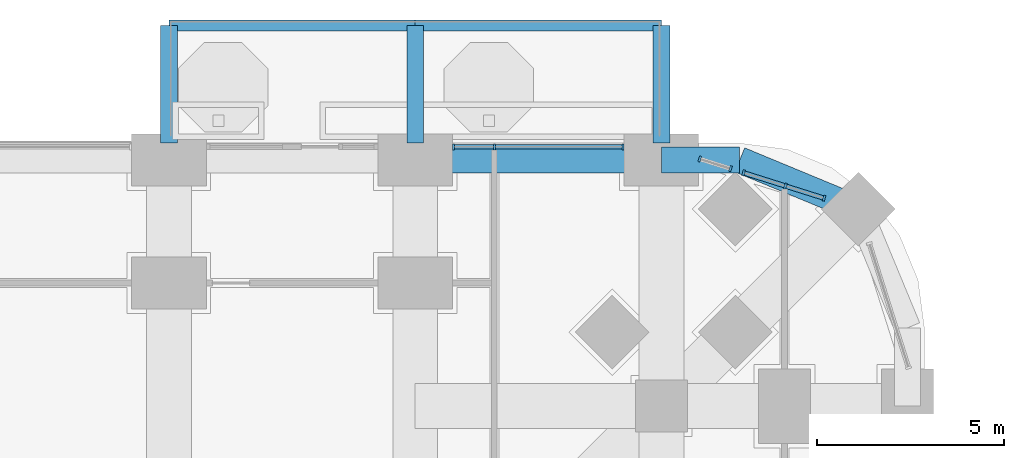
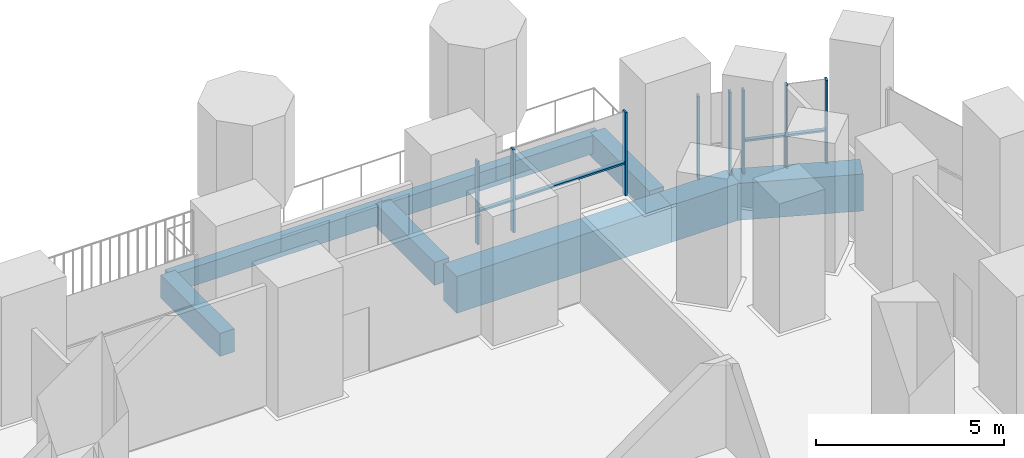
# One storey, part 10 of 25: 12 members, 8 beams, 3 elements without a shape of their own.
"""IFC4 building model written with IfcOpenShell, lengths in metres."""

from ifc_helpers import new_model, si_unit, direction, frame, origin, origin_2d, place, context, subcontext, project, spatial, rectangle, extrude, material, material_profile, profile_set, type_object, element, aggregate, save


model = new_model("IFC4")

# Units and contexts
model_context = context("Model", 3, precision=1e-05, world=origin(), true_north=direction((0.0, 1.0)))
body_context = subcontext(model_context, "Body", "Model", "MODEL_VIEW")
ifc_project = project(units=[si_unit("LENGTHUNIT", "METRE"), si_unit("AREAUNIT", "SQUARE_METRE"), si_unit("VOLUMEUNIT", "CUBIC_METRE"), si_unit("PLANEANGLEUNIT", "RADIAN"), si_unit("MASSUNIT", "GRAM", prefix="KILO")], contexts=[model_context])

# Site, building, storey
site_placement = place(None, origin())
site = spatial("IfcSite", under=ifc_project, at=site_placement, CompositionType="ELEMENT")
building_placement = place(site_placement, origin())
building = spatial("IfcBuilding", under=site, at=building_placement, Name="Cobogo Forest Laboratory Tower", CompositionType="ELEMENT")
storey_placement = place(building_placement, frame((0.0, 0.0, 21.300048828125)))
storey = spatial("IfcBuildingStorey", under=building, at=storey_placement, Name="L04", CompositionType="ELEMENT", Elevation=21.300048828125)

# Beams
ifc_material_1 = material(Name="Concrete HA-40 (C40/50)", Category="concrete")
ifc_material_profile_1 = material_profile(ifc_material_1, rectangle(XDim=0.449951171875, YDim=0.75, at=origin_2d()), Name="RC 450x750")
ifc_profile_set_1 = profile_set([ifc_material_profile_1], Name="Concrete HA-40 (C40/50)")
beam_type_1 = type_object("IfcBeamType", Name="Balcony cantilever beam 450x750", PredefinedType="BEAM", material=ifc_profile_set_1)
for number, where, z_axis, x_axis, name in (
    (1, (33.0, 46.64990234375, -0.625), (0.0, 1.0, 0.0), (-1.0, 0.0, 0.0), "CB1 BAL-N2-C1 L04"),
    (2, (39.60009765625, 46.64990234375, -0.625), (0.0, 1.0, 0.0), (-1.0, 0.0, 0.0), "CB1 BAL-N2-C2 L04"),
    (3, (46.199951171875, 46.64990234375, -0.625), (0.0, 1.0, 0.0), (-1.0, 0.0, 0.0), "CB1 BAL-N2-C3 L04"),
):
    element("IfcBeam", number, at=place(storey_placement, frame(where, z_axis=z_axis, x_axis=x_axis)), inside=storey, type_object=beam_type_1, Name=name, PredefinedType="BEAM", context=body_context, shape_type="SweptSolid", body=[
        extrude(rectangle(XDim=0.449951171875, YDim=0.75, at=origin_2d()), origin(), (0.0, 0.0, 1.0), 3.150146484375),
    ])
ifc_material_profile_2 = material_profile(ifc_material_1, rectangle(XDim=0.300048828125, YDim=0.60009765625, at=origin_2d()), Name="RC 300x600")
ifc_profile_set_2 = profile_set([ifc_material_profile_2], Name="Concrete HA-40 (C40/50)")
beam_type_2 = type_object("IfcBeamType", Name="Balcony edge beam 300x600", PredefinedType="BEAM", material=ifc_profile_set_2)
beam_1_placement = place(storey_placement, frame((33.0, 49.800048828125, -0.550048828125), z_axis=(1.0, 0.0, 0.0), x_axis=(0.0, 1.0, 0.0)))
element("IfcBeam", 4, at=beam_1_placement, inside=storey, type_object=beam_type_2, Name="BB1 BAL-N2-T1 L04", PredefinedType="BEAM", context=body_context, shape_type="SweptSolid", body=[
    extrude(rectangle(XDim=0.300048828125, YDim=0.60009765625, at=origin_2d()), origin(), (0.0, 0.0, 1.0), 6.60009765625),
])
beam_2_placement = place(storey_placement, frame((39.60009765625, 49.800048828125, -0.550048828125), z_axis=(1.0, 0.0, 0.0), x_axis=(0.0, 1.0, 0.0)))
element("IfcBeam", 5, at=beam_2_placement, inside=storey, type_object=beam_type_2, Name="BB1 BAL-N2-T2 L04", PredefinedType="BEAM", context=body_context, shape_type="SweptSolid", body=[
    extrude(rectangle(XDim=0.300048828125, YDim=0.60009765625, at=origin_2d()), origin(), (0.0, 0.0, 1.0), 6.599853515625),
])

# Curtain wall, members
ifc_material_2 = material(Name="Aluminium curtain wall", Category="aluminium")
curtain_wall_type = type_object("IfcCurtainWallType", Name="CW-1 unitised curtain wall, clear glazing, laboratory floors zones A and B", PredefinedType="USERDEFINED", material=ifc_material_2)
curtain_wall_1_placement = place(storey_placement, origin())
curtain_wall_1 = element("IfcCurtainWall", 6, at=curtain_wall_1_placement, inside=storey, type_object=curtain_wall_type, Name="Curtain wall 16 L04", ObjectType="UNITISED CURTAIN WALL", PredefinedType="USERDEFINED")
ifc_material_3 = material(Name="Aluminium mullion", Category="aluminium")
ifc_material_profile_3 = material_profile(ifc_material_3, rectangle(XDim=0.06005859375, YDim=0.159912109375, at=origin_2d()), Name="AL 60x160")
ifc_profile_set_3 = profile_set([ifc_material_profile_3], Name="Aluminium mullion")
member_type_1 = type_object("IfcMemberType", Name="MU-1 aluminium mullion 60x160", PredefinedType="MULLION", material=ifc_profile_set_3)
member_1_placement = place(storey_placement, frame((50.561279296875, 45.1728515625, 0.0), z_axis=(0.0, 0.0, 1.0), x_axis=(-0.953581409645, 0.301135343623, 0.0)))
member_1 = element("IfcMember", 7, at=member_1_placement, type_object=member_type_1, Name="CW-1 mullion 1", PredefinedType="MULLION", context=body_context, shape_type="SweptSolid", body=[
    extrude(rectangle(XDim=0.06005859375, YDim=0.159912109375, at=origin_2d()), origin(), (0.0, 0.0, 1.0), 2.699951171875),
])
member_2_placement = place(storey_placement, frame((49.524169921875, 45.500244140625, 0.0), z_axis=(0.0, 0.0, 1.0), x_axis=(-0.953581409645, 0.301135343623, 0.0)))
member_2 = element("IfcMember", 8, at=member_2_placement, type_object=member_type_1, Name="CW-1 mullion 2", PredefinedType="MULLION", context=body_context, shape_type="SweptSolid", body=[
    extrude(rectangle(XDim=0.06005859375, YDim=0.159912109375, at=origin_2d()), origin(), (0.0, 0.0, 1.0), 2.699951171875),
])
member_3_placement = place(storey_placement, frame((48.403076171875, 45.854248046875, 0.0), z_axis=(0.0, 0.0, 1.0), x_axis=(-0.953581409645, 0.301135343623, 0.0)))
member_3 = element("IfcMember", 9, at=member_3_placement, type_object=member_type_1, Name="CW-1 mullion 3", PredefinedType="MULLION", context=body_context, shape_type="SweptSolid", body=[
    extrude(rectangle(XDim=0.06005859375, YDim=0.159912109375, at=origin_2d()), origin(), (0.0, 0.0, 1.0), 2.699951171875),
])

curtain_wall_2_placement = place(storey_placement, origin())
curtain_wall_2 = element("IfcCurtainWall", 10, at=curtain_wall_2_placement, inside=storey, type_object=curtain_wall_type, Name="Curtain wall 17 L04", ObjectType="UNITISED CURTAIN WALL", PredefinedType="USERDEFINED")
member_4_placement = place(storey_placement, frame((48.05322265625, 45.96484375, 0.0), z_axis=(0.0, 0.0, 1.0), x_axis=(-0.953581406818, 0.301135352577, 0.0)))
member_4 = element("IfcMember", 11, at=member_4_placement, type_object=member_type_1, Name="CW-1 mullion 1", PredefinedType="MULLION", context=body_context, shape_type="SweptSolid", body=[
    extrude(rectangle(XDim=0.06005859375, YDim=0.159912109375, at=origin_2d()), origin(), (0.0, 0.0, 1.0), 2.699951171875),
])
member_5_placement = place(storey_placement, frame((47.228515625, 46.22509765625, 0.0), z_axis=(0.0, 0.0, 1.0), x_axis=(-0.953581406818, 0.301135352577, 0.0)))
member_5 = element("IfcMember", 12, at=member_5_placement, type_object=member_type_1, Name="CW-1 mullion 2", PredefinedType="MULLION", context=body_context, shape_type="SweptSolid", body=[
    extrude(rectangle(XDim=0.06005859375, YDim=0.159912109375, at=origin_2d()), origin(), (0.0, 0.0, 1.0), 2.699951171875),
])
aggregate(curtain_wall_2, [member_4, member_5])

curtain_wall_3_placement = place(storey_placement, origin())
curtain_wall_3 = element("IfcCurtainWall", 13, at=curtain_wall_3_placement, inside=storey, type_object=curtain_wall_type, Name="Curtain wall 18 L04", ObjectType="UNITISED CURTAIN WALL", PredefinedType="USERDEFINED")
member_6_placement = place(storey_placement, frame((45.169921875, 46.550048828125, 0.0), z_axis=(0.0, 0.0, 1.0), x_axis=(-1.0, 0.0, 0.0)))
member_6 = element("IfcMember", 14, at=member_6_placement, type_object=member_type_1, Name="CW-1 mullion 1", PredefinedType="MULLION", context=body_context, shape_type="SweptSolid", body=[
    extrude(rectangle(XDim=0.06005859375, YDim=0.159912109375, at=origin_2d()), origin(), (0.0, 0.0, 1.0), 2.699951171875),
])
member_7_placement = place(storey_placement, frame((41.72509765625, 46.550048828125, 0.0), z_axis=(0.0, 0.0, 1.0), x_axis=(-1.0, 0.0, 0.0)))
member_7 = element("IfcMember", 15, at=member_7_placement, type_object=member_type_1, Name="CW-1 mullion 2", PredefinedType="MULLION", context=body_context, shape_type="SweptSolid", body=[
    extrude(rectangle(XDim=0.06005859375, YDim=0.159912109375, at=origin_2d()), origin(), (0.0, 0.0, 1.0), 2.699951171875),
])
member_8_placement = place(storey_placement, frame((40.6298828125, 46.550048828125, 0.0), z_axis=(0.0, 0.0, 1.0), x_axis=(-1.0, 0.0, 0.0)))
member_8 = element("IfcMember", 16, at=member_8_placement, type_object=member_type_1, Name="CW-1 mullion 3", PredefinedType="MULLION", context=body_context, shape_type="SweptSolid", body=[
    extrude(rectangle(XDim=0.06005859375, YDim=0.159912109375, at=origin_2d()), origin(), (0.0, 0.0, 1.0), 2.699951171875),
])

# Beams
ifc_material_profile_4 = material_profile(ifc_material_1, rectangle(XDim=0.699951171875, YDim=1.199951171875, at=origin_2d()), Name="RC 700x1200")
ifc_profile_set_4 = profile_set([ifc_material_profile_4], Name="Concrete HA-40 (C40/50)")
beam_type_3 = type_object("IfcBeamType", Name="Perimeter edge beam 700x1200", PredefinedType="BEAM", material=ifc_profile_set_4)
beam_3_placement = place(storey_placement, frame((39.60009765625, 46.199951171875, -0.900146484375), z_axis=(1.0, 0.0, 0.0), x_axis=(0.0, 1.0, 0.0)))
element("IfcBeam", 17, at=beam_3_placement, inside=storey, type_object=beam_type_3, Name="EB1 E-N6 L04", PredefinedType="BEAM", context=body_context, shape_type="SweptSolid", body=[
    extrude(rectangle(XDim=0.699951171875, YDim=1.199951171875, at=origin_2d()), origin(), (0.0, 0.0, 1.0), 6.599853515625),
])
beam_4_placement = place(storey_placement, frame((46.199951171875, 46.199951171875, -0.900146484375), z_axis=(1.0, 0.0, 0.0), x_axis=(0.0, 1.0, 0.0)))
element("IfcBeam", 18, at=beam_4_placement, inside=storey, type_object=beam_type_3, Name="EB1 E-NEN1 L04", PredefinedType="BEAM", context=body_context, shape_type="SweptSolid", body=[
    extrude(rectangle(XDim=0.699951171875, YDim=1.199951171875, at=origin_2d()), origin(), (0.0, 0.0, 1.0), 2.10009765625),
])
beam_5_placement = place(storey_placement, frame((48.300048828125, 46.199951171875, -0.900146484375), z_axis=(0.923890694089, -0.382656484822, 0.0), x_axis=(0.382656484822, 0.923890694089, 0.0)))
element("IfcBeam", 19, at=beam_5_placement, inside=storey, type_object=beam_type_3, Name="EB1 E-NEN2 L04", PredefinedType="BEAM", context=body_context, shape_type="SweptSolid", body=[
    extrude(rectangle(XDim=0.699951171875, YDim=1.199951171875, at=origin_2d()), origin(), (0.0, 0.0, 1.0), 3.444091796875),
])

# Member
ifc_material_4 = material(Name="Aluminium transom", Category="aluminium")
ifc_material_profile_5 = material_profile(ifc_material_4, rectangle(XDim=0.1201171875, YDim=0.06005859375, at=origin_2d()), Name="AL 60x120")
ifc_profile_set_5 = profile_set([ifc_material_profile_5], Name="Aluminium transom")
member_type_2 = type_object("IfcMemberType", Name="TR-1 aluminium transom 60x120", PredefinedType="USERDEFINED", material=ifc_profile_set_5)
member_9_placement = place(storey_placement, frame((50.53271484375, 45.181884765625, 1.050048828125), z_axis=(-0.953622152866, 0.301006294888, 0.0), x_axis=(-0.301006294888, -0.953622152866, 0.0)))
member_9 = element("IfcMember", 20, at=member_9_placement, type_object=member_type_2, Name="CW-1 transom 1.1", ObjectType="TRANSOM", PredefinedType="USERDEFINED", context=body_context, shape_type="SweptSolid", body=[
    extrude(rectangle(XDim=0.1201171875, YDim=0.06005859375, at=origin_2d()), origin(), (0.0, 0.0, 1.0), 1.027587890625),
])

member_10_placement = place(storey_placement, frame((49.495361328125, 45.50927734375, 1.050048828125), z_axis=(-0.953576049467, 0.301152316747, 0.0), x_axis=(-0.301152316747, -0.953576049467, 0.0)))
member_10 = element("IfcMember", 21, at=member_10_placement, type_object=member_type_2, Name="CW-1 transom 2.1", ObjectType="TRANSOM", PredefinedType="USERDEFINED", context=body_context, shape_type="SweptSolid", body=[
    extrude(rectangle(XDim=0.1201171875, YDim=0.06005859375, at=origin_2d()), origin(), (0.0, 0.0, 1.0), 1.115478515625),
])

aggregate(curtain_wall_1, [member_1, member_2, member_3, member_9, member_10])

member_11_placement = place(storey_placement, frame((45.139892578125, 46.550048828125, 1.050048828125), z_axis=(-1.0, 0.0, 0.0), x_axis=(0.0, -1.0, 0.0)))
member_11 = element("IfcMember", 22, at=member_11_placement, type_object=member_type_2, Name="CW-1 transom 1.1", ObjectType="TRANSOM", PredefinedType="USERDEFINED", context=body_context, shape_type="SweptSolid", body=[
    extrude(rectangle(XDim=0.1201171875, YDim=0.06005859375, at=origin_2d()), origin(), (0.0, 0.0, 1.0), 3.385009765625),
])

member_12_placement = place(storey_placement, frame((41.695068359375, 46.550048828125, 1.050048828125), z_axis=(-1.0, 0.0, 0.0), x_axis=(0.0, -1.0, 0.0)))
member_12 = element("IfcMember", 23, at=member_12_placement, type_object=member_type_2, Name="CW-1 transom 2.1", ObjectType="TRANSOM", PredefinedType="USERDEFINED", context=body_context, shape_type="SweptSolid", body=[
    extrude(rectangle(XDim=0.1201171875, YDim=0.06005859375, at=origin_2d()), origin(), (0.0, 0.0, 1.0), 1.03515625),
])

aggregate(curtain_wall_3, [member_6, member_7, member_8, member_11, member_12])

save(model, "model.ifc")
